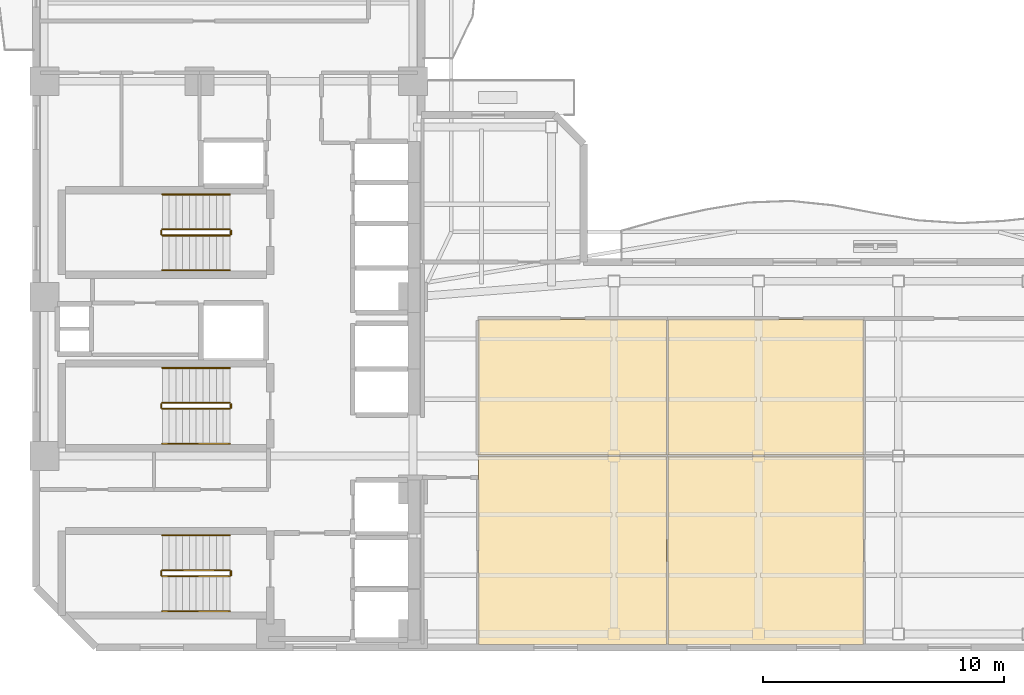
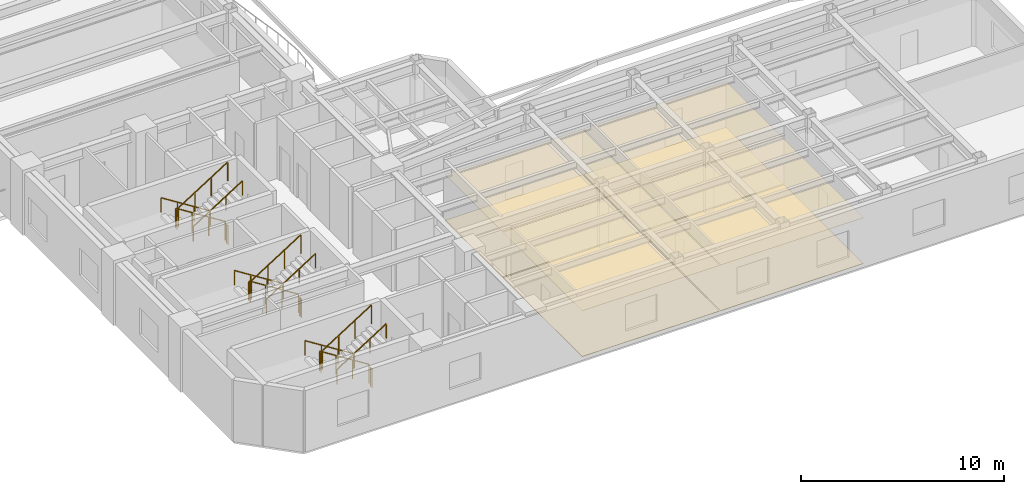
# One storey, part 7 of 10: 18 railings, 8 coverings.
"""IFC4 building model written with IfcOpenShell, lengths in metres."""

from ifc_helpers import new_model, si_unit, direction, frame, origin, origin_2d, place, context, subcontext, project, spatial, polyline, rectangle, outline, extrude, material, layer, layer_set, type_object, element, save


model = new_model("IFC4")

# Units and contexts
model_context = context("Model", 3, precision=1e-05, world=origin(), true_north=direction((0.0, 1.0)))
body_context = subcontext(model_context, "Body", "Model", "MODEL_VIEW")
ifc_project = project(units=[si_unit("LENGTHUNIT", "METRE"), si_unit("AREAUNIT", "SQUARE_METRE"), si_unit("VOLUMEUNIT", "CUBIC_METRE"), si_unit("PLANEANGLEUNIT", "RADIAN"), si_unit("MASSUNIT", "GRAM", prefix="KILO")], contexts=[model_context])

# Site, building, storey
site_placement = place(None, origin())
site = spatial("IfcSite", under=ifc_project, at=site_placement, CompositionType="ELEMENT")
building_placement = place(site_placement, origin())
building = spatial("IfcBuilding", under=site, at=building_placement, Name="Mawjaban Terraces University", CompositionType="ELEMENT")
storey_placement = place(building_placement, frame((0.0, 0.0, 158.0)))
storey = spatial("IfcBuildingStorey", under=building, at=storey_placement, Name="L38", CompositionType="ELEMENT", Elevation=158.0)

# Coverings
ifc_material_1 = material(Name="Acoustic mineral fibre ceiling tile", Category="masonry")
ifc_layer_1 = layer(ifc_material_1, 0.02001953125)
ifc_layer_set_1 = layer_set([ifc_layer_1], Name="Acoustic mineral fibre ceiling tile")
covering_type_1 = type_object("IfcCoveringType", Name="AcousticMineralCeiling_20", PredefinedType="CEILING", material=ifc_layer_set_1)
covering_1_placement = place(storey_placement, frame((0.0, 0.0, 2.75)))
element("IfcCovering", 1, at=covering_1_placement, inside=storey, type_object=covering_type_1, Name="L38 Conference Room 2 Acoustic Ceiling", PredefinedType="CEILING", context=body_context, shape_type="SweptSolid", body=[
    extrude(outline(polyline([(40.3798828125, 0.114990234375), (48.18505859375, 0.114990234375), (48.18505859375, 7.919921875), (40.3798828125, 7.919921875), (40.3798828125, 0.114990234375)])), origin(), (0.0, 0.0, 1.0), 0.02001953125),
])
covering_2_placement = place(storey_placement, frame((0.0, 0.0, 2.75)))
element("IfcCovering", 2, at=covering_2_placement, inside=storey, type_object=covering_type_1, Name="L38 Classroom 3 Acoustic Ceiling", PredefinedType="CEILING", context=body_context, shape_type="SweptSolid", body=[
    extrude(outline(polyline([(48.18505859375, 7.97998046875), (48.18505859375, 13.6201171875), (40.3798828125, 13.6201171875), (40.3798828125, 7.97998046875), (48.18505859375, 7.97998046875)])), origin(), (0.0, 0.0, 1.0), 0.02001953125),
])
covering_3_placement = place(storey_placement, frame((0.0, 0.0, 2.75)))
element("IfcCovering", 3, at=covering_3_placement, inside=storey, type_object=covering_type_1, Name="L38 Seminar Room 4 Acoustic Ceiling", PredefinedType="CEILING", context=body_context, shape_type="SweptSolid", body=[
    extrude(outline(polyline([(48.2451171875, 0.114990234375), (56.35205078125, 0.114990234375), (56.35205078125, 7.919921875), (48.2451171875, 7.919921875), (48.2451171875, 0.114990234375)])), origin(), (0.0, 0.0, 1.0), 0.02001953125),
])
covering_4_placement = place(storey_placement, frame((0.0, 0.0, 2.75)))
element("IfcCovering", 4, at=covering_4_placement, inside=storey, type_object=covering_type_1, Name="L38 Tutorial Room 5 Acoustic Ceiling", PredefinedType="CEILING", context=body_context, shape_type="SweptSolid", body=[
    extrude(outline(polyline([(56.35205078125, 7.97998046875), (56.35205078125, 13.6201171875), (48.2451171875, 13.6201171875), (48.2451171875, 7.97998046875), (56.35205078125, 7.97998046875)])), origin(), (0.0, 0.0, 1.0), 0.02001953125),
])

# Railings
ifc_material_2 = material(Name="Brushed stainless steel 316", Category="steel")
railing_type_1 = type_object("IfcRailingType", Name="StairWallHandrail_900", PredefinedType="HANDRAIL", material=ifc_material_2)
railing_1_placement = place(storey_placement, frame((30.050048828125, 4.64990234375, 0.17724609375)))
element("IfcRailing", 5, at=railing_1_placement, inside=storey, type_object=railing_type_1, Name="L38 ST-1 stair handrail 1", PredefinedType="HANDRAIL", context=body_context, shape_type="SweptSolid", body=[
    extrude(rectangle(XDim=0.048095703125, YDim=0.048095703125, at=origin_2d()), frame((0.0, 0.0, 0.8759765625), z_axis=(-0.844908973607, 0.0, 0.534910110503), x_axis=(0.0, -1.0, 0.0)), (0.0, 0.0, 1.0), 3.31396484375),
    extrude(rectangle(XDim=0.0419921875, YDim=0.0419921875, at=origin_2d()), origin(), (0.0, 0.0, 1.0), 0.851806640625),
    extrude(rectangle(XDim=0.0419921875, YDim=0.0419921875, at=origin_2d()), frame((-0.933349609375, 0.0, 0.5908203125)), (0.0, 0.0, 1.0), 0.851806640625),
    extrude(rectangle(XDim=0.0419921875, YDim=0.0419921875, at=origin_2d()), frame((-1.86669921875, 0.0, 1.181884765625)), (0.0, 0.0, 1.0), 0.851806640625),
    extrude(rectangle(XDim=0.0419921875, YDim=0.0419921875, at=origin_2d()), frame((-2.800048828125, 0.0, 1.772705078125)), (0.0, 0.0, 1.0), 0.851806640625),
])
railing_2_placement = place(storey_placement, frame((27.25, 1.5, 2.127197265625)))
element("IfcRailing", 6, at=railing_2_placement, inside=storey, type_object=railing_type_1, Name="L38 ST-1 stair handrail 2", PredefinedType="HANDRAIL", context=body_context, shape_type="SweptSolid", body=[
    extrude(rectangle(XDim=0.048095703125, YDim=0.048095703125, at=origin_2d()), frame((0.0, 0.0, 0.8759765625), z_axis=(0.844908973607, 0.0, 0.534910110503), x_axis=(0.0, 1.0, 0.0)), (0.0, 0.0, 1.0), 3.31396484375),
    extrude(rectangle(XDim=0.0419921875, YDim=0.0419921875, at=origin_2d()), origin(), (0.0, 0.0, 1.0), 0.851806640625),
    extrude(rectangle(XDim=0.0419921875, YDim=0.0419921875, at=origin_2d()), frame((0.933349609375, 0.0, 0.5908203125)), (0.0, 0.0, 1.0), 0.851806640625),
    extrude(rectangle(XDim=0.0419921875, YDim=0.0419921875, at=origin_2d()), frame((1.86669921875, 0.0, 1.181884765625)), (0.0, 0.0, 1.0), 0.851806640625),
    extrude(rectangle(XDim=0.0419921875, YDim=0.0419921875, at=origin_2d()), frame((2.800048828125, 0.0, 1.772705078125)), (0.0, 0.0, 1.0), 0.851806640625),
])
railing_3_placement = place(storey_placement, frame((30.050048828125, 18.800048828125, 0.17724609375)))
element("IfcRailing", 7, at=railing_3_placement, inside=storey, type_object=railing_type_1, Name="L38 ST-2 stair handrail 1", PredefinedType="HANDRAIL", context=body_context, shape_type="SweptSolid", body=[
    extrude(rectangle(XDim=0.048095703125, YDim=0.048095703125, at=origin_2d()), frame((0.0, 0.0, 0.8759765625), z_axis=(-0.844908973607, 0.0, 0.534910110503), x_axis=(0.0, -1.0, 0.0)), (0.0, 0.0, 1.0), 3.31396484375),
    extrude(rectangle(XDim=0.0419921875, YDim=0.0419921875, at=origin_2d()), origin(), (0.0, 0.0, 1.0), 0.851806640625),
    extrude(rectangle(XDim=0.0419921875, YDim=0.0419921875, at=origin_2d()), frame((-0.933349609375, 0.0, 0.5908203125)), (0.0, 0.0, 1.0), 0.851806640625),
    extrude(rectangle(XDim=0.0419921875, YDim=0.0419921875, at=origin_2d()), frame((-1.86669921875, 0.0, 1.181884765625)), (0.0, 0.0, 1.0), 0.851806640625),
    extrude(rectangle(XDim=0.0419921875, YDim=0.0419921875, at=origin_2d()), frame((-2.800048828125, 0.0, 1.772705078125)), (0.0, 0.0, 1.0), 0.851806640625),
])
railing_4_placement = place(storey_placement, frame((27.25, 15.64990234375, 2.127197265625)))
element("IfcRailing", 8, at=railing_4_placement, inside=storey, type_object=railing_type_1, Name="L38 ST-2 stair handrail 2", PredefinedType="HANDRAIL", context=body_context, shape_type="SweptSolid", body=[
    extrude(rectangle(XDim=0.048095703125, YDim=0.048095703125, at=origin_2d()), frame((0.0, 0.0, 0.8759765625), z_axis=(0.844908973607, 0.0, 0.534910110503), x_axis=(0.0, 1.0, 0.0)), (0.0, 0.0, 1.0), 3.31396484375),
    extrude(rectangle(XDim=0.0419921875, YDim=0.0419921875, at=origin_2d()), origin(), (0.0, 0.0, 1.0), 0.851806640625),
    extrude(rectangle(XDim=0.0419921875, YDim=0.0419921875, at=origin_2d()), frame((0.933349609375, 0.0, 0.5908203125)), (0.0, 0.0, 1.0), 0.851806640625),
    extrude(rectangle(XDim=0.0419921875, YDim=0.0419921875, at=origin_2d()), frame((1.86669921875, 0.0, 1.181884765625)), (0.0, 0.0, 1.0), 0.851806640625),
    extrude(rectangle(XDim=0.0419921875, YDim=0.0419921875, at=origin_2d()), frame((2.800048828125, 0.0, 1.772705078125)), (0.0, 0.0, 1.0), 0.851806640625),
])
railing_5_placement = place(storey_placement, frame((30.050048828125, 11.60009765625, 0.17724609375)))
element("IfcRailing", 9, at=railing_5_placement, inside=storey, type_object=railing_type_1, Name="L38 ST-3 stair handrail 1", PredefinedType="HANDRAIL", context=body_context, shape_type="SweptSolid", body=[
    extrude(rectangle(XDim=0.048095703125, YDim=0.048095703125, at=origin_2d()), frame((0.0, 0.0, 0.8759765625), z_axis=(-0.844908973607, 0.0, 0.534910110503), x_axis=(0.0, -1.0, 0.0)), (0.0, 0.0, 1.0), 3.31396484375),
    extrude(rectangle(XDim=0.0419921875, YDim=0.0419921875, at=origin_2d()), origin(), (0.0, 0.0, 1.0), 0.851806640625),
    extrude(rectangle(XDim=0.0419921875, YDim=0.0419921875, at=origin_2d()), frame((-0.933349609375, 0.0, 0.5908203125)), (0.0, 0.0, 1.0), 0.851806640625),
    extrude(rectangle(XDim=0.0419921875, YDim=0.0419921875, at=origin_2d()), frame((-1.86669921875, 0.0, 1.181884765625)), (0.0, 0.0, 1.0), 0.851806640625),
    extrude(rectangle(XDim=0.0419921875, YDim=0.0419921875, at=origin_2d()), frame((-2.800048828125, 0.0, 1.772705078125)), (0.0, 0.0, 1.0), 0.851806640625),
])
railing_6_placement = place(storey_placement, frame((27.25, 8.449951171875, 2.127197265625)))
element("IfcRailing", 10, at=railing_6_placement, inside=storey, type_object=railing_type_1, Name="L38 ST-3 stair handrail 2", PredefinedType="HANDRAIL", context=body_context, shape_type="SweptSolid", body=[
    extrude(rectangle(XDim=0.048095703125, YDim=0.048095703125, at=origin_2d()), frame((0.0, 0.0, 0.8759765625), z_axis=(0.844908973607, 0.0, 0.534910110503), x_axis=(0.0, 1.0, 0.0)), (0.0, 0.0, 1.0), 3.31396484375),
    extrude(rectangle(XDim=0.0419921875, YDim=0.0419921875, at=origin_2d()), origin(), (0.0, 0.0, 1.0), 0.851806640625),
    extrude(rectangle(XDim=0.0419921875, YDim=0.0419921875, at=origin_2d()), frame((0.933349609375, 0.0, 0.5908203125)), (0.0, 0.0, 1.0), 0.851806640625),
    extrude(rectangle(XDim=0.0419921875, YDim=0.0419921875, at=origin_2d()), frame((1.86669921875, 0.0, 1.181884765625)), (0.0, 0.0, 1.0), 0.851806640625),
    extrude(rectangle(XDim=0.0419921875, YDim=0.0419921875, at=origin_2d()), frame((2.800048828125, 0.0, 1.772705078125)), (0.0, 0.0, 1.0), 0.851806640625),
])
ifc_material_3 = material(Name="Galvanised painted steel S355", Category="steel")
railing_type_2 = type_object("IfcRailingType", Name="StairWellGuard_1150", PredefinedType="BALUSTRADE", material=ifc_material_3)
railing_7_placement = place(storey_placement, frame((30.050048828125, 3.199951171875, 0.17724609375)))
element("IfcRailing", 11, at=railing_7_placement, inside=storey, type_object=railing_type_2, Name="L38 ST-1 stair guard 1", PredefinedType="BALUSTRADE", context=body_context, shape_type="SweptSolid", body=[
    extrude(rectangle(XDim=0.048095703125, YDim=0.048095703125, at=origin_2d()), frame((0.0, 0.0, 1.1259765625), z_axis=(-0.844908973607, 0.0, 0.534910110503), x_axis=(0.0, -1.0, 0.0)), (0.0, 0.0, 1.0), 3.31396484375),
    extrude(rectangle(XDim=0.0419921875, YDim=0.0419921875, at=origin_2d()), origin(), (0.0, 0.0, 1.0), 1.101806640625),
    extrude(rectangle(XDim=0.0419921875, YDim=0.0419921875, at=origin_2d()), frame((-0.933349609375, 0.0, 0.5908203125)), (0.0, 0.0, 1.0), 1.101806640625),
    extrude(rectangle(XDim=0.0419921875, YDim=0.0419921875, at=origin_2d()), frame((-1.86669921875, 0.0, 1.181884765625)), (0.0, 0.0, 1.0), 1.101806640625),
    extrude(rectangle(XDim=0.0419921875, YDim=0.0419921875, at=origin_2d()), frame((-2.800048828125, 0.0, 1.772705078125)), (0.0, 0.0, 1.0), 1.101806640625),
])
railing_8_placement = place(storey_placement, frame((27.199951171875, 3.14990234375, 1.949951171875)))
element("IfcRailing", 12, at=railing_8_placement, inside=storey, type_object=railing_type_2, Name="L38 ST-1 stair guard 2", PredefinedType="BALUSTRADE", context=body_context, shape_type="SweptSolid", body=[
    extrude(rectangle(XDim=0.048095703125, YDim=0.048095703125, at=origin_2d()), frame((0.0, 0.0, 1.1259765625), z_axis=(0.0, -1.0, 0.0), x_axis=(1.0, 0.0, 0.0)), (0.0, 0.0, 1.0), 0.14990234375),
    extrude(rectangle(XDim=0.0419921875, YDim=0.0419921875, at=origin_2d()), origin(), (0.0, 0.0, 1.0), 1.101806640625),
    extrude(rectangle(XDim=0.0419921875, YDim=0.0419921875, at=origin_2d()), frame((0.0, -0.14990234375, 0.0)), (0.0, 0.0, 1.0), 1.101806640625),
])
railing_9_placement = place(storey_placement, frame((27.25, 2.949951171875, 2.127197265625)))
element("IfcRailing", 13, at=railing_9_placement, inside=storey, type_object=railing_type_2, Name="L38 ST-1 stair guard 3", PredefinedType="BALUSTRADE", context=body_context, shape_type="SweptSolid", body=[
    extrude(rectangle(XDim=0.048095703125, YDim=0.048095703125, at=origin_2d()), frame((0.0, 0.0, 1.1259765625), z_axis=(0.844908973607, 0.0, 0.534910110503), x_axis=(0.0, 1.0, 0.0)), (0.0, 0.0, 1.0), 3.31396484375),
    extrude(rectangle(XDim=0.0419921875, YDim=0.0419921875, at=origin_2d()), origin(), (0.0, 0.0, 1.0), 1.101806640625),
    extrude(rectangle(XDim=0.0419921875, YDim=0.0419921875, at=origin_2d()), frame((0.933349609375, 0.0, 0.5908203125)), (0.0, 0.0, 1.0), 1.101806640625),
    extrude(rectangle(XDim=0.0419921875, YDim=0.0419921875, at=origin_2d()), frame((1.86669921875, 0.0, 1.181884765625)), (0.0, 0.0, 1.0), 1.101806640625),
    extrude(rectangle(XDim=0.0419921875, YDim=0.0419921875, at=origin_2d()), frame((2.800048828125, 0.0, 1.772705078125)), (0.0, 0.0, 1.0), 1.101806640625),
])
railing_10_placement = place(storey_placement, frame((30.10009765625, 3.14990234375, 0.0)))
element("IfcRailing", 14, at=railing_10_placement, inside=storey, type_object=railing_type_2, Name="L38 ST-1 stair guard 4", PredefinedType="BALUSTRADE", context=body_context, shape_type="SweptSolid", body=[
    extrude(rectangle(XDim=0.048095703125, YDim=0.048095703125, at=origin_2d()), frame((0.0, 0.0, 1.1259765625), z_axis=(0.0, -1.0, 0.0), x_axis=(1.0, 0.0, 0.0)), (0.0, 0.0, 1.0), 0.14990234375),
    extrude(rectangle(XDim=0.0419921875, YDim=0.0419921875, at=origin_2d()), origin(), (0.0, 0.0, 1.0), 1.101806640625),
    extrude(rectangle(XDim=0.0419921875, YDim=0.0419921875, at=origin_2d()), frame((0.0, -0.14990234375, 0.0)), (0.0, 0.0, 1.0), 1.101806640625),
])
railing_11_placement = place(storey_placement, frame((30.050048828125, 17.35009765625, 0.17724609375)))
element("IfcRailing", 15, at=railing_11_placement, inside=storey, type_object=railing_type_2, Name="L38 ST-2 stair guard 1", PredefinedType="BALUSTRADE", context=body_context, shape_type="SweptSolid", body=[
    extrude(rectangle(XDim=0.048095703125, YDim=0.048095703125, at=origin_2d()), frame((0.0, 0.0, 1.1259765625), z_axis=(-0.844908973607, 0.0, 0.534910110503), x_axis=(0.0, -1.0, 0.0)), (0.0, 0.0, 1.0), 3.31396484375),
    extrude(rectangle(XDim=0.0419921875, YDim=0.0419921875, at=origin_2d()), origin(), (0.0, 0.0, 1.0), 1.101806640625),
    extrude(rectangle(XDim=0.0419921875, YDim=0.0419921875, at=origin_2d()), frame((-0.933349609375, 0.0, 0.5908203125)), (0.0, 0.0, 1.0), 1.101806640625),
    extrude(rectangle(XDim=0.0419921875, YDim=0.0419921875, at=origin_2d()), frame((-1.86669921875, 0.0, 1.181884765625)), (0.0, 0.0, 1.0), 1.101806640625),
    extrude(rectangle(XDim=0.0419921875, YDim=0.0419921875, at=origin_2d()), frame((-2.800048828125, 0.0, 1.772705078125)), (0.0, 0.0, 1.0), 1.101806640625),
])
railing_12_placement = place(storey_placement, frame((27.199951171875, 17.300048828125, 1.949951171875)))
element("IfcRailing", 16, at=railing_12_placement, inside=storey, type_object=railing_type_2, Name="L38 ST-2 stair guard 2", PredefinedType="BALUSTRADE", context=body_context, shape_type="SweptSolid", body=[
    extrude(rectangle(XDim=0.048095703125, YDim=0.048095703125, at=origin_2d()), frame((0.0, 0.0, 1.1259765625), z_axis=(0.0, -1.0, 0.0), x_axis=(1.0, 0.0, 0.0)), (0.0, 0.0, 1.0), 0.150146484375),
    extrude(rectangle(XDim=0.0419921875, YDim=0.0419921875, at=origin_2d()), origin(), (0.0, 0.0, 1.0), 1.101806640625),
    extrude(rectangle(XDim=0.0419921875, YDim=0.0419921875, at=origin_2d()), frame((0.0, -0.150146484375, 0.0)), (0.0, 0.0, 1.0), 1.101806640625),
])
railing_13_placement = place(storey_placement, frame((27.25, 17.10009765625, 2.127197265625)))
element("IfcRailing", 17, at=railing_13_placement, inside=storey, type_object=railing_type_2, Name="L38 ST-2 stair guard 3", PredefinedType="BALUSTRADE", context=body_context, shape_type="SweptSolid", body=[
    extrude(rectangle(XDim=0.048095703125, YDim=0.048095703125, at=origin_2d()), frame((0.0, 0.0, 1.1259765625), z_axis=(0.844908973607, 0.0, 0.534910110503), x_axis=(0.0, 1.0, 0.0)), (0.0, 0.0, 1.0), 3.31396484375),
    extrude(rectangle(XDim=0.0419921875, YDim=0.0419921875, at=origin_2d()), origin(), (0.0, 0.0, 1.0), 1.101806640625),
    extrude(rectangle(XDim=0.0419921875, YDim=0.0419921875, at=origin_2d()), frame((0.933349609375, 0.0, 0.5908203125)), (0.0, 0.0, 1.0), 1.101806640625),
    extrude(rectangle(XDim=0.0419921875, YDim=0.0419921875, at=origin_2d()), frame((1.86669921875, 0.0, 1.181884765625)), (0.0, 0.0, 1.0), 1.101806640625),
    extrude(rectangle(XDim=0.0419921875, YDim=0.0419921875, at=origin_2d()), frame((2.800048828125, 0.0, 1.772705078125)), (0.0, 0.0, 1.0), 1.101806640625),
])
railing_14_placement = place(storey_placement, frame((30.10009765625, 17.300048828125, 0.0)))
element("IfcRailing", 18, at=railing_14_placement, inside=storey, type_object=railing_type_2, Name="L38 ST-2 stair guard 4", PredefinedType="BALUSTRADE", context=body_context, shape_type="SweptSolid", body=[
    extrude(rectangle(XDim=0.048095703125, YDim=0.048095703125, at=origin_2d()), frame((0.0, 0.0, 1.1259765625), z_axis=(0.0, -1.0, 0.0), x_axis=(1.0, 0.0, 0.0)), (0.0, 0.0, 1.0), 0.150146484375),
    extrude(rectangle(XDim=0.0419921875, YDim=0.0419921875, at=origin_2d()), origin(), (0.0, 0.0, 1.0), 1.101806640625),
    extrude(rectangle(XDim=0.0419921875, YDim=0.0419921875, at=origin_2d()), frame((0.0, -0.150146484375, 0.0)), (0.0, 0.0, 1.0), 1.101806640625),
])
railing_15_placement = place(storey_placement, frame((30.050048828125, 10.14990234375, 0.17724609375)))
element("IfcRailing", 19, at=railing_15_placement, inside=storey, type_object=railing_type_2, Name="L38 ST-3 stair guard 1", PredefinedType="BALUSTRADE", context=body_context, shape_type="SweptSolid", body=[
    extrude(rectangle(XDim=0.048095703125, YDim=0.048095703125, at=origin_2d()), frame((0.0, 0.0, 1.1259765625), z_axis=(-0.844908973607, 0.0, 0.534910110503), x_axis=(0.0, -1.0, 0.0)), (0.0, 0.0, 1.0), 3.31396484375),
    extrude(rectangle(XDim=0.0419921875, YDim=0.0419921875, at=origin_2d()), origin(), (0.0, 0.0, 1.0), 1.101806640625),
    extrude(rectangle(XDim=0.0419921875, YDim=0.0419921875, at=origin_2d()), frame((-0.933349609375, 0.0, 0.5908203125)), (0.0, 0.0, 1.0), 1.101806640625),
    extrude(rectangle(XDim=0.0419921875, YDim=0.0419921875, at=origin_2d()), frame((-1.86669921875, 0.0, 1.181884765625)), (0.0, 0.0, 1.0), 1.101806640625),
    extrude(rectangle(XDim=0.0419921875, YDim=0.0419921875, at=origin_2d()), frame((-2.800048828125, 0.0, 1.772705078125)), (0.0, 0.0, 1.0), 1.101806640625),
])
railing_16_placement = place(storey_placement, frame((27.199951171875, 10.10009765625, 1.949951171875)))
element("IfcRailing", 20, at=railing_16_placement, inside=storey, type_object=railing_type_2, Name="L38 ST-3 stair guard 2", PredefinedType="BALUSTRADE", context=body_context, shape_type="SweptSolid", body=[
    extrude(rectangle(XDim=0.048095703125, YDim=0.048095703125, at=origin_2d()), frame((0.0, 0.0, 1.1259765625), z_axis=(0.0, -1.0, 0.0), x_axis=(1.0, 0.0, 0.0)), (0.0, 0.0, 1.0), 0.150146484375),
    extrude(rectangle(XDim=0.0419921875, YDim=0.0419921875, at=origin_2d()), origin(), (0.0, 0.0, 1.0), 1.101806640625),
    extrude(rectangle(XDim=0.0419921875, YDim=0.0419921875, at=origin_2d()), frame((0.0, -0.150146484375, 0.0)), (0.0, 0.0, 1.0), 1.101806640625),
])
railing_17_placement = place(storey_placement, frame((27.25, 9.89990234375, 2.127197265625)))
element("IfcRailing", 21, at=railing_17_placement, inside=storey, type_object=railing_type_2, Name="L38 ST-3 stair guard 3", PredefinedType="BALUSTRADE", context=body_context, shape_type="SweptSolid", body=[
    extrude(rectangle(XDim=0.048095703125, YDim=0.048095703125, at=origin_2d()), frame((0.0, 0.0, 1.1259765625), z_axis=(0.844908973607, 0.0, 0.534910110503), x_axis=(0.0, 1.0, 0.0)), (0.0, 0.0, 1.0), 3.31396484375),
    extrude(rectangle(XDim=0.0419921875, YDim=0.0419921875, at=origin_2d()), origin(), (0.0, 0.0, 1.0), 1.101806640625),
    extrude(rectangle(XDim=0.0419921875, YDim=0.0419921875, at=origin_2d()), frame((0.933349609375, 0.0, 0.5908203125)), (0.0, 0.0, 1.0), 1.101806640625),
    extrude(rectangle(XDim=0.0419921875, YDim=0.0419921875, at=origin_2d()), frame((1.86669921875, 0.0, 1.181884765625)), (0.0, 0.0, 1.0), 1.101806640625),
    extrude(rectangle(XDim=0.0419921875, YDim=0.0419921875, at=origin_2d()), frame((2.800048828125, 0.0, 1.772705078125)), (0.0, 0.0, 1.0), 1.101806640625),
])
railing_18_placement = place(storey_placement, frame((30.10009765625, 10.10009765625, 0.0)))
element("IfcRailing", 22, at=railing_18_placement, inside=storey, type_object=railing_type_2, Name="L38 ST-3 stair guard 4", PredefinedType="BALUSTRADE", context=body_context, shape_type="SweptSolid", body=[
    extrude(rectangle(XDim=0.048095703125, YDim=0.048095703125, at=origin_2d()), frame((0.0, 0.0, 1.1259765625), z_axis=(0.0, -1.0, 0.0), x_axis=(1.0, 0.0, 0.0)), (0.0, 0.0, 1.0), 0.150146484375),
    extrude(rectangle(XDim=0.0419921875, YDim=0.0419921875, at=origin_2d()), origin(), (0.0, 0.0, 1.0), 1.101806640625),
    extrude(rectangle(XDim=0.0419921875, YDim=0.0419921875, at=origin_2d()), frame((0.0, -0.150146484375, 0.0)), (0.0, 0.0, 1.0), 1.101806640625),
])

# Coverings
ifc_material_4 = material(Name="Polished Hijazi granite terrazzo flooring", Category="masonry")
ifc_layer_2 = layer(ifc_material_4, 0.02490234375)
ifc_layer_set_2 = layer_set([ifc_layer_2], Name="Polished Hijazi granite terrazzo flooring")
covering_type_2 = type_object("IfcCoveringType", Name="TerrazzoConcourseFlooring_25", PredefinedType="FLOORING", material=ifc_layer_set_2)
covering_5_placement = place(storey_placement, origin())
element("IfcCovering", 23, at=covering_5_placement, inside=storey, type_object=covering_type_2, Name="L38 Conference Room 2 Terrazzo Flooring", PredefinedType="FLOORING", context=body_context, shape_type="SweptSolid", body=[
    extrude(outline(polyline([(40.3798828125, 0.114990234375), (48.18505859375, 0.114990234375), (48.18505859375, 7.919921875), (40.3798828125, 7.919921875), (40.3798828125, 0.114990234375)])), origin(), (0.0, 0.0, 1.0), 0.02490234375),
])
covering_6_placement = place(storey_placement, origin())
element("IfcCovering", 24, at=covering_6_placement, inside=storey, type_object=covering_type_2, Name="L38 Classroom 3 Terrazzo Flooring", PredefinedType="FLOORING", context=body_context, shape_type="SweptSolid", body=[
    extrude(outline(polyline([(48.18505859375, 7.97998046875), (48.18505859375, 13.6201171875), (40.3798828125, 13.6201171875), (40.3798828125, 7.97998046875), (48.18505859375, 7.97998046875)])), origin(), (0.0, 0.0, 1.0), 0.02490234375),
])
covering_7_placement = place(storey_placement, origin())
element("IfcCovering", 25, at=covering_7_placement, inside=storey, type_object=covering_type_2, Name="L38 Seminar Room 4 Terrazzo Flooring", PredefinedType="FLOORING", context=body_context, shape_type="SweptSolid", body=[
    extrude(outline(polyline([(48.2451171875, 0.114990234375), (56.35205078125, 0.114990234375), (56.35205078125, 7.919921875), (48.2451171875, 7.919921875), (48.2451171875, 0.114990234375)])), origin(), (0.0, 0.0, 1.0), 0.02490234375),
])
covering_8_placement = place(storey_placement, origin())
element("IfcCovering", 26, at=covering_8_placement, inside=storey, type_object=covering_type_2, Name="L38 Tutorial Room 5 Terrazzo Flooring", PredefinedType="FLOORING", context=body_context, shape_type="SweptSolid", body=[
    extrude(outline(polyline([(56.35205078125, 7.97998046875), (56.35205078125, 13.6201171875), (48.2451171875, 13.6201171875), (48.2451171875, 7.97998046875), (56.35205078125, 7.97998046875)])), origin(), (0.0, 0.0, 1.0), 0.02490234375),
])

save(model, "model.ifc")
